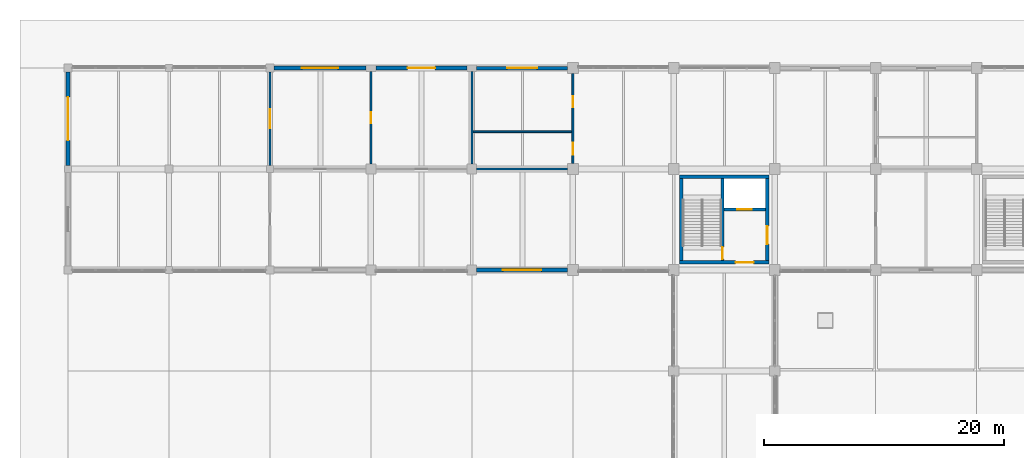
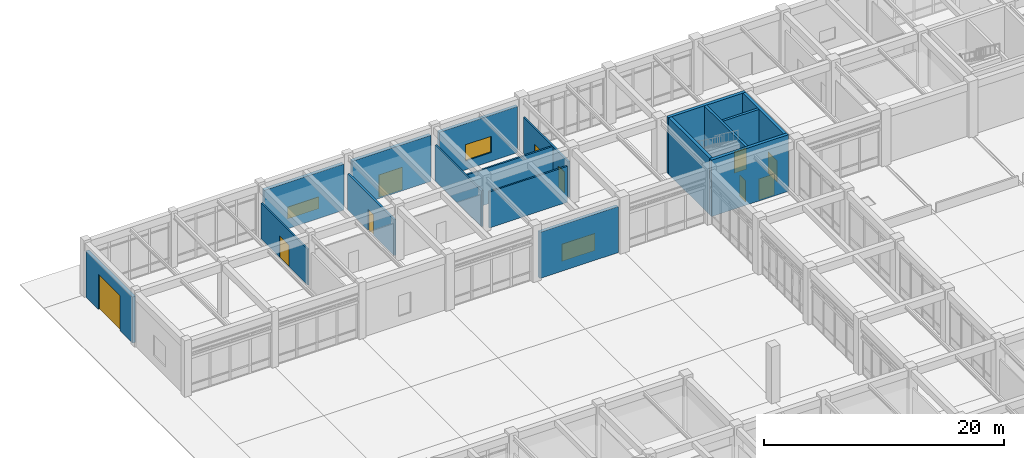
# One storey, part 73 of 91: 17 walls, 10 doors, 3 windows, 13 openings.
"""IFC4 building model written with IfcOpenShell, lengths in metres."""

from ifc_helpers import new_model, si_unit, direction, frame, frame_2d, origin, place, context, subcontext, project, spatial, rectangle, extrude, material, layer, layer_set, type_object, element, fill, save


model = new_model("IFC4")

# Units and contexts
model_context = context("Model", 3, precision=1e-05, world=origin(), true_north=direction((0.0, 1.0)))
body_context = subcontext(model_context, "Body", "Model", "MODEL_VIEW")
ifc_project = project(units=[si_unit("LENGTHUNIT", "METRE"), si_unit("AREAUNIT", "SQUARE_METRE"), si_unit("VOLUMEUNIT", "CUBIC_METRE"), si_unit("PLANEANGLEUNIT", "RADIAN"), si_unit("MASSUNIT", "GRAM", prefix="KILO")], contexts=[model_context])

# Site, building, storey
site_placement = place(None, origin())
site = spatial("IfcSite", under=ifc_project, at=site_placement, CompositionType="ELEMENT")
building_placement = place(site_placement, origin())
building = spatial("IfcBuilding", under=site, at=building_placement, Name="Porcellanite Civic Hall", CompositionType="ELEMENT")
storey_placement = place(building_placement, origin())
storey = spatial("IfcBuildingStorey", under=building, at=storey_placement, Name="L00", CompositionType="ELEMENT", Elevation=0.0)

# Wall, opening, door
ifc_material_1 = material(Name="Concrete N40 (40 MPa)", Category="concrete")
ifc_layer_1 = layer(ifc_material_1, 0.239990234375)
ifc_layer_set_1 = layer_set([ifc_layer_1], Name="Concrete N40 (40 MPa)")
wall_type_1 = type_object("IfcWallType", Name="CW-SH240", PredefinedType="SHEAR", material=ifc_layer_set_1)
wall_1_placement = place(storey_placement, frame((54.43994140625, 101.580078125, 0.0), z_axis=(0.0, 0.0, 1.0), x_axis=(0.0, 1.0, 0.0)))
wall_1 = element("IfcWall", 1, at=wall_1_placement, inside=storey, type_object=wall_type_1, Name="Core divider C3 L00", PredefinedType="SHEAR", context=body_context, shape_type="SweptSolid", body=[
    extrude(rectangle(XDim=6.83984375, YDim=0.239990234375, at=frame_2d((3.419921875, 0.0))), origin(), (0.0, 0.0, 1.0), 5.760009765625),
])
opening_1_placement = place(wall_1_placement, frame((0.1201171875, 0.0, 0.0)))
opening_1 = element("IfcOpeningElement", 2, at=opening_1_placement, cuts=wall_1, Name="Opening FD-C3-L00-ST", PredefinedType="OPENING", context=body_context, shape_type="SweptSolid", body=[
    extrude(rectangle(XDim=1.0, YDim=2.14990234375, at=frame_2d((0.5, 1.074951171875))), frame((0.0, 0.1201171875, 0.0), z_axis=(0.0, -1.0, 0.0), x_axis=(1.0, 0.0, 0.0)), (0.0, 0.0, 1.0), 0.239990234375),
])
ifc_material_2 = material(Name="Fire-rated solid-core hardwood timber", Category="wood")
door_type_1 = type_object("IfcDoorType", Name="DR-FD100", OperationType="NOTDEFINED", PredefinedType="DOOR", material=ifc_material_2)
door_1_placement = place(opening_1_placement, origin())
door_1 = element("IfcDoor", 3, at=door_1_placement, inside=storey, type_object=door_type_1, Name="Fire stair door FD-C3-L00-ST", OperationType="SINGLE_SWING_RIGHT", OverallHeight=2.14990234375, OverallWidth=1.0, PredefinedType="DOOR", context=body_context, shape_type="SweptSolid", body=[
    extrude(rectangle(XDim=1.0, YDim=2.14990234375, at=frame_2d((0.5, 1.074951171875))), frame((0.0, 0.02490234375, 0.0), z_axis=(0.0, -1.0, 0.0), x_axis=(1.0, 0.0, 0.0)), (0.0, 0.0, 1.0), 0.050048828125),
])
fill(opening_1, door_1)

wall_2_placement = place(storey_placement, frame((54.56005859375, 105.820068359375, 0.0), z_axis=(0.0, 0.0, 1.0), x_axis=(1.0, 0.0, 0.0)))
wall_2 = element("IfcWall", 4, at=wall_2_placement, inside=storey, type_object=wall_type_1, Name="Lift shaft wall C3 L00", PredefinedType="SHEAR", context=body_context, shape_type="SweptSolid", body=[
    extrude(rectangle(XDim=3.4599609375, YDim=0.239990234375, at=frame_2d((1.72998046875, 0.0))), origin(), (0.0, 0.0, 1.0), 5.760009765625),
])
opening_2_placement = place(wall_2_placement, frame((1.1298828125, 0.0, 0.0)))
opening_2 = element("IfcOpeningElement", 5, at=opening_2_placement, cuts=wall_2, Name="Opening LD-01", PredefinedType="OPENING", context=body_context, shape_type="SweptSolid", body=[
    extrude(rectangle(XDim=1.199951171875, YDim=2.199951171875, at=frame_2d((0.60009765625, 1.10009765625))), frame((0.0, 0.1201171875, 0.0), z_axis=(0.0, -1.0, 0.0), x_axis=(1.0, 0.0, 0.0)), (0.0, 0.0, 1.0), 0.239990234375),
])
ifc_material_3 = material(Name="Brushed stainless steel 316", Category="steel")
door_type_2 = type_object("IfcDoorType", Name="DR-LD120", OperationType="DOUBLE_DOOR_SLIDING", PredefinedType="DOOR", material=ifc_material_3)
door_2_placement = place(opening_2_placement, origin())
door_2 = element("IfcDoor", 6, at=door_2_placement, inside=storey, type_object=door_type_2, Name="Lift landing sliding door LD-01 L00", OperationType="DOUBLE_DOOR_SLIDING", OverallHeight=2.199951171875, OverallWidth=1.199951171875, PredefinedType="DOOR", context=body_context, shape_type="SweptSolid", body=[
    extrude(rectangle(XDim=1.199951171875, YDim=2.199951171875, at=frame_2d((0.60009765625, 1.10009765625))), frame((0.0, 0.02490234375, 0.0), z_axis=(0.0, -1.0, 0.0), x_axis=(1.0, 0.0, 0.0)), (0.0, 0.0, 1.0), 0.050048828125),
])
fill(opening_2, door_2)

ifc_material_4 = material(Name="Concrete N40 (40 MPa)", Category="concrete")
ifc_layer_2 = layer(ifc_material_4, 0.300048828125)
ifc_layer_set_2 = layer_set([ifc_layer_2], Name="Concrete N40 (40 MPa)")
wall_type_2 = type_object("IfcWallType", Name="CW-SH300", PredefinedType="SHEAR", material=ifc_layer_set_2)
wall_3_placement = place(storey_placement, frame((58.320068359375, 101.429931640625, 0.0), z_axis=(0.0, 0.0, 1.0), x_axis=(-1.0, 0.0, 0.0)))
wall_3 = element("IfcWall", 7, at=wall_3_placement, inside=storey, type_object=wall_type_2, Name="Core wall C3 L00 S", PredefinedType="SHEAR", context=body_context, shape_type="SweptSolid", body=[
    extrude(rectangle(XDim=7.440185546875, YDim=0.300048828125, at=frame_2d((3.72021484375, 0.0))), origin(), (0.0, 0.0, 1.0), 5.760009765625),
])
opening_3_placement = place(wall_3_placement, frame((1.280029296875, 0.0, 0.0)))
opening_3 = element("IfcOpeningElement", 8, at=opening_3_placement, cuts=wall_3, Name="Opening FD-C3-L00-LS", PredefinedType="OPENING", context=body_context, shape_type="SweptSolid", body=[
    extrude(rectangle(XDim=1.5, YDim=2.14990234375, at=frame_2d((0.75, 1.074951171875))), frame((0.0, 0.14990234375, 0.0), z_axis=(0.0, -1.0, 0.0), x_axis=(1.0, 0.0, 0.0)), (0.0, 0.0, 1.0), 0.300048828125),
])
ifc_material_5 = material(Name="Fire-rated steel and Georgian wired glass", Category="steel")
door_type_3 = type_object("IfcDoorType", Name="DR-FD150", OperationType="DOUBLE_DOOR_SINGLE_SWING", PredefinedType="DOOR", material=ifc_material_5)
door_3_placement = place(opening_3_placement, origin())
door_3 = element("IfcDoor", 9, at=door_3_placement, inside=storey, type_object=door_type_3, Name="Fire lobby south door FD-C3-L00-LS", OperationType="DOUBLE_DOOR_SINGLE_SWING", OverallHeight=2.14990234375, OverallWidth=1.5, PredefinedType="DOOR", context=body_context, shape_type="SweptSolid", body=[
    extrude(rectangle(XDim=1.5, YDim=2.14990234375, at=frame_2d((0.75, 1.074951171875))), frame((0.0, 0.02490234375, 0.0), z_axis=(0.0, -1.0, 0.0), x_axis=(1.0, 0.0, 0.0)), (0.0, 0.0, 1.0), 0.050048828125),
])
fill(opening_3, door_3)

# Walls
wall_4_placement = place(storey_placement, frame((51.030029296875, 101.580078125, 0.0), z_axis=(0.0, 0.0, 1.0), x_axis=(0.0, 1.0, 0.0)))
element("IfcWall", 10, at=wall_4_placement, inside=storey, type_object=wall_type_2, Name="Core wall C3 L00 W", PredefinedType="SHEAR", context=body_context, shape_type="SweptSolid", body=[
    extrude(rectangle(XDim=6.83984375, YDim=0.300048828125, at=frame_2d((3.419921875, 0.0))), origin(), (0.0, 0.0, 1.0), 5.760009765625),
])
wall_5_placement = place(storey_placement, frame((50.8798828125, 108.570068359375, 0.0), z_axis=(0.0, 0.0, 1.0), x_axis=(1.0, 0.0, 0.0)))
element("IfcWall", 11, at=wall_5_placement, inside=storey, type_object=wall_type_2, Name="Core wall C3 L00 N", PredefinedType="SHEAR", context=body_context, shape_type="SweptSolid", body=[
    extrude(rectangle(XDim=7.440185546875, YDim=0.300048828125, at=frame_2d((3.72021484375, 0.0))), origin(), (0.0, 0.0, 1.0), 5.760009765625),
])

# Wall, opening, door
wall_6_placement = place(storey_placement, frame((58.169921875, 108.419921875, 0.0), z_axis=(0.0, 0.0, 1.0), x_axis=(0.0, -1.0, 0.0)))
wall_6 = element("IfcWall", 12, at=wall_6_placement, inside=storey, type_object=wall_type_2, Name="Core wall C3 L00 E", PredefinedType="SHEAR", context=body_context, shape_type="SweptSolid", body=[
    extrude(rectangle(XDim=6.83984375, YDim=0.300048828125, at=frame_2d((3.419921875, 0.0))), origin(), (0.0, 0.0, 1.0), 5.760009765625),
])
opening_4_placement = place(wall_6_placement, frame((3.969970703125, 0.0, 0.0)))
opening_4 = element("IfcOpeningElement", 13, at=opening_4_placement, cuts=wall_6, Name="Opening FD-C3-L00-LB", PredefinedType="OPENING", context=body_context, shape_type="SweptSolid", body=[
    extrude(rectangle(XDim=1.5, YDim=2.14990234375, at=frame_2d((0.75, 1.074951171875))), frame((0.0, 0.14990234375, 0.0), z_axis=(0.0, -1.0, 0.0), x_axis=(1.0, 0.0, 0.0)), (0.0, 0.0, 1.0), 0.300048828125),
])
door_4_placement = place(opening_4_placement, origin())
door_4 = element("IfcDoor", 14, at=door_4_placement, inside=storey, type_object=door_type_3, Name="Fire lobby double door FD-C3-L00-LB", OperationType="DOUBLE_DOOR_SINGLE_SWING", OverallHeight=2.14990234375, OverallWidth=1.5, PredefinedType="DOOR", context=body_context, shape_type="SweptSolid", body=[
    extrude(rectangle(XDim=1.5, YDim=2.14990234375, at=frame_2d((0.75, 1.074951171875))), frame((0.0, 0.02490234375, 0.0), z_axis=(0.0, -1.0, 0.0), x_axis=(1.0, 0.0, 0.0)), (0.0, 0.0, 1.0), 0.050048828125),
])
fill(opening_4, door_4)

# Wall, opening, window
ifc_material_6 = material(Name="Precast concrete N40 (40 MPa)", Category="concrete")
ifc_layer_3 = layer(ifc_material_6, 0.300048828125)
ifc_layer_set_3 = layer_set([ifc_layer_3], Name="Precast concrete N40 (40 MPa)")
wall_type_3 = type_object("IfcWallType", Name="EW-ADM300", PredefinedType="SOLIDWALL", material=ifc_layer_set_3)
wall_7_placement = place(storey_placement, frame((41.549072265625, 100.800048828125, 0.0), z_axis=(0.0, 0.0, 1.0), x_axis=(-1.0, 0.0, 0.0)))
wall_7 = element("IfcWall", 15, at=wall_7_placement, inside=storey, type_object=wall_type_3, Name="Exterior wall L00 S 5-13", PredefinedType="SOLIDWALL", context=body_context, shape_type="SweptSolid", body=[
    extrude(rectangle(XDim=7.548095703125, YDim=0.300048828125, at=frame_2d((3.77392578125, 0.0))), origin(), (0.0, 0.0, 1.0), 4.699951171875),
])
opening_5_placement = place(wall_7_placement, frame((2.174072265625, 0.0, 0.89990234375)))
opening_5 = element("IfcOpeningElement", 16, at=opening_5_placement, cuts=wall_7, Name="Opening W17", PredefinedType="OPENING", context=body_context, shape_type="SweptSolid", body=[
    extrude(rectangle(XDim=3.199951171875, YDim=1.75, at=frame_2d((1.60009765625, 0.875))), frame((0.0, 0.14990234375, 0.0), z_axis=(0.0, -1.0, 0.0), x_axis=(1.0, 0.0, 0.0)), (0.0, 0.0, 1.0), 0.300048828125),
])
ifc_material_7 = material(Name="Cyclone laminated low-E glazing in anodised aluminium frame", Category="aluminium")
window_type_1 = type_object("IfcWindowType", Name="WN-17", PartitioningType="TRIPLE_PANEL_VERTICAL", PredefinedType="WINDOW", material=ifc_material_7)
window_1_placement = place(opening_5_placement, origin())
window_1 = element("IfcWindow", 17, at=window_1_placement, inside=storey, type_object=window_type_1, Name="Window W17 L00 S 5-13", OverallHeight=1.75, OverallWidth=3.199951171875, PartitioningType="SINGLE_PANEL", PredefinedType="WINDOW", context=body_context, shape_type="SweptSolid", body=[
    extrude(rectangle(XDim=3.199951171875, YDim=1.75, at=frame_2d((1.60009765625, 0.875))), frame((0.0, 0.030029296875, 0.0), z_axis=(0.0, -1.0, 0.0), x_axis=(1.0, 0.0, 0.0)), (0.0, 0.0, 1.0), 0.06005859375),
])
fill(opening_5, window_1)

wall_8_placement = place(storey_placement, frame((34.0009765625, 117.60009765625, 0.0), z_axis=(0.0, 0.0, 1.0), x_axis=(1.0, 0.0, 0.0)))
wall_8 = element("IfcWall", 18, at=wall_8_placement, inside=storey, type_object=wall_type_3, Name="Exterior wall L00 N 5-14", PredefinedType="SOLIDWALL", context=body_context, shape_type="SweptSolid", body=[
    extrude(rectangle(XDim=7.548095703125, YDim=0.300048828125, at=frame_2d((3.77392578125, 0.0))), origin(), (0.0, 0.0, 1.0), 4.699951171875),
])
opening_6_placement = place(wall_8_placement, frame((2.52392578125, 0.0, 0.89990234375)))
opening_6 = element("IfcOpeningElement", 19, at=opening_6_placement, cuts=wall_8, Name="Opening W18", PredefinedType="OPENING", context=body_context, shape_type="SweptSolid", body=[
    extrude(rectangle(XDim=2.5, YDim=1.64990234375, at=frame_2d((1.25, 0.824951171875))), frame((0.0, 0.14990234375, 0.0), z_axis=(0.0, -1.0, 0.0), x_axis=(1.0, 0.0, 0.0)), (0.0, 0.0, 1.0), 0.300048828125),
])
ifc_material_8 = material(Name="Cyclone laminated low-E glazing in anodised aluminium frame", Category="aluminium")
window_type_2 = type_object("IfcWindowType", Name="WN-18", PartitioningType="DOUBLE_PANEL_VERTICAL", PredefinedType="WINDOW", material=ifc_material_8)
window_2_placement = place(opening_6_placement, origin())
window_2 = element("IfcWindow", 20, at=window_2_placement, inside=storey, type_object=window_type_2, Name="Window W18 L00 N 5-14", OverallHeight=1.64990234375, OverallWidth=2.5, PartitioningType="SINGLE_PANEL", PredefinedType="WINDOW", context=body_context, shape_type="SweptSolid", body=[
    extrude(rectangle(XDim=2.5, YDim=1.64990234375, at=frame_2d((1.25, 0.824951171875))), frame((0.0, 0.030029296875, 0.0), z_axis=(0.0, -1.0, 0.0), x_axis=(1.0, 0.0, 0.0)), (0.0, 0.0, 1.0), 0.06005859375),
])
fill(opening_6, window_2)

# Wall, opening, door
ifc_material_9 = material(Name="Precast concrete N40 (40 MPa)", Category="concrete")
ifc_layer_4 = layer(ifc_material_9, 0.320068359375)
ifc_layer_set_4 = layer_set([ifc_layer_4], Name="Precast concrete N40 (40 MPa)")
wall_type_4 = type_object("IfcWallType", Name="EW-COM320", PredefinedType="SOLIDWALL", material=ifc_layer_set_4)
wall_9_placement = place(storey_placement, frame((0.0, 109.5009765625, 0.0), z_axis=(0.0, 0.0, 1.0), x_axis=(0.0, 1.0, 0.0)))
wall_9 = element("IfcWall", 21, at=wall_9_placement, inside=storey, type_object=wall_type_4, Name="Exterior wall L00 W 1-14", PredefinedType="SOLIDWALL", context=body_context, shape_type="SweptSolid", body=[
    extrude(rectangle(XDim=7.77294921875, YDim=0.320068359375, at=frame_2d((3.886474609375, 0.0))), origin(), (0.0, 0.0, 1.0), 4.699951171875),
])
opening_7_placement = place(wall_9_placement, frame((2.0869140625, 0.0, 0.0)))
opening_7 = element("IfcOpeningElement", 22, at=opening_7_placement, cuts=wall_9, Name="Opening VD-01", PredefinedType="OPENING", context=body_context, shape_type="SweptSolid", body=[
    extrude(rectangle(XDim=3.60009765625, YDim=3.60009765625, at=frame_2d((1.800048828125, 1.800048828125))), frame((0.0, 0.16015625, 0.0), z_axis=(0.0, -1.0, 0.0), x_axis=(1.0, 0.0, 0.0)), (0.0, 0.0, 1.0), 0.320068359375),
])
ifc_material_10 = material(Name="Galvanised steel sheet", Category="steel")
door_type_4 = type_object("IfcDoorType", Name="DR-DOCK360", OperationType="ROLLINGUP", PredefinedType="DOOR", material=ifc_material_10)
door_5_placement = place(opening_7_placement, origin())
door_5 = element("IfcDoor", 23, at=door_5_placement, inside=storey, type_object=door_type_4, Name="Loading dock roller shutter VD-01", OperationType="ROLLINGUP", OverallHeight=3.60009765625, OverallWidth=3.60009765625, PredefinedType="DOOR", context=body_context, shape_type="SweptSolid", body=[
    extrude(rectangle(XDim=3.60009765625, YDim=3.60009765625, at=frame_2d((1.800048828125, 1.800048828125))), frame((0.0, 0.02490234375, 0.0), z_axis=(0.0, -1.0, 0.0), x_axis=(1.0, 0.0, 0.0)), (0.0, 0.0, 1.0), 0.050048828125),
])
fill(opening_7, door_5)

# Wall, opening, window
wall_10_placement = place(storey_placement, frame((17.1259765625, 117.60009765625, 0.0), z_axis=(0.0, 0.0, 1.0), x_axis=(1.0, 0.0, 0.0)))
wall_10 = element("IfcWall", 24, at=wall_10_placement, inside=storey, type_object=wall_type_4, Name="Exterior wall L00 N 3-14", PredefinedType="SOLIDWALL", context=body_context, shape_type="SweptSolid", body=[
    extrude(rectangle(XDim=7.673095703125, YDim=0.320068359375, at=frame_2d((3.83642578125, 0.0))), origin(), (0.0, 0.0, 1.0), 4.699951171875),
])
opening_8_placement = place(wall_10_placement, frame((2.3369140625, 0.0, 0.89990234375)))
opening_8 = element("IfcOpeningElement", 25, at=opening_8_placement, cuts=wall_10, Name="Opening W09", PredefinedType="OPENING", context=body_context, shape_type="SweptSolid", body=[
    extrude(rectangle(XDim=3.0, YDim=1.199951171875, at=frame_2d((1.5, 0.60009765625))), frame((0.0, 0.16015625, 0.0), z_axis=(0.0, -1.0, 0.0), x_axis=(1.0, 0.0, 0.0)), (0.0, 0.0, 1.0), 0.320068359375),
])
ifc_material_11 = material(Name="Cyclone laminated low-E glazing in anodised aluminium frame", Category="aluminium")
window_type_3 = type_object("IfcWindowType", Name="WN-09", PartitioningType="TRIPLE_PANEL_HORIZONTAL", PredefinedType="WINDOW", material=ifc_material_11)
window_3_placement = place(opening_8_placement, origin())
window_3 = element("IfcWindow", 26, at=window_3_placement, inside=storey, type_object=window_type_3, Name="Window W09 L00 N 3-14", OverallHeight=1.199951171875, OverallWidth=3.0, PartitioningType="SINGLE_PANEL", PredefinedType="WINDOW", context=body_context, shape_type="SweptSolid", body=[
    extrude(rectangle(XDim=3.0, YDim=1.199951171875, at=frame_2d((1.5, 0.60009765625))), frame((0.0, 0.030029296875, 0.0), z_axis=(0.0, -1.0, 0.0), x_axis=(1.0, 0.0, 0.0)), (0.0, 0.0, 1.0), 0.06005859375),
])
fill(opening_8, window_3)

# Wall, opening, door
wall_11_placement = place(storey_placement, frame((25.60107421875, 117.60009765625, 0.0), z_axis=(0.0, 0.0, 1.0), x_axis=(1.0, 0.0, 0.0)))
wall_11 = element("IfcWall", 27, at=wall_11_placement, inside=storey, type_object=wall_type_4, Name="Exterior wall L00 N 4-14", PredefinedType="SOLIDWALL", context=body_context, shape_type="SweptSolid", body=[
    extrude(rectangle(XDim=7.597900390625, YDim=0.320068359375, at=frame_2d((3.798828125, 0.0))), origin(), (0.0, 0.0, 1.0), 4.699951171875),
])
opening_9_placement = place(wall_11_placement, frame((2.64892578125, 0.0, 0.0)))
opening_9 = element("IfcOpeningElement", 28, at=opening_9_placement, cuts=wall_11, Name="Opening ED-16", PredefinedType="OPENING", context=body_context, shape_type="SweptSolid", body=[
    extrude(rectangle(XDim=2.300048828125, YDim=2.300048828125, at=frame_2d((1.14990234375, 1.14990234375))), frame((0.0, 0.16015625, 0.0), z_axis=(0.0, -1.0, 0.0), x_axis=(1.0, 0.0, 0.0)), (0.0, 0.0, 1.0), 0.320068359375),
])
ifc_material_12 = material(Name="Anodised aluminium and laminated safety glass", Category="aluminium")
door_type_5 = type_object("IfcDoorType", Name="DR-EXIT210", OperationType="DOUBLE_DOOR_SINGLE_SWING", PredefinedType="DOOR", material=ifc_material_12)
door_6_placement = place(opening_9_placement, origin())
door_6 = element("IfcDoor", 29, at=door_6_placement, inside=storey, type_object=door_type_5, Name="Pedestrian final exit door ED-16", OperationType="DOUBLE_DOOR_SINGLE_SWING", OverallHeight=2.300048828125, OverallWidth=2.300048828125, PredefinedType="DOOR", context=body_context, shape_type="SweptSolid", body=[
    extrude(rectangle(XDim=2.300048828125, YDim=2.300048828125, at=frame_2d((1.14990234375, 1.14990234375))), frame((0.0, 0.02490234375, 0.0), z_axis=(0.0, -1.0, 0.0), x_axis=(1.0, 0.0, 0.0)), (0.0, 0.0, 1.0), 0.050048828125),
])
fill(opening_9, door_6)

ifc_material_13 = material(Name="Fire-rated plasterboard on light-gauge steel studs", Category="steel")
ifc_layer_5 = layer(ifc_material_13, 0.14794921875)
ifc_layer_set_5 = layer_set([ifc_layer_5], Name="Fire-rated plasterboard on light-gauge steel studs")
wall_type_5 = type_object("IfcWallType", Name="IW-FR148", PredefinedType="PARTITIONING", material=ifc_layer_set_5)
wall_12_placement = place(storey_placement, frame((16.800048828125, 109.501953125, 0.0), z_axis=(0.0, 0.0, 1.0), x_axis=(0.0, 1.0, 0.0)))
wall_12 = element("IfcWall", 30, at=wall_12_placement, inside=storey, type_object=wall_type_5, Name="Fire compartment wall L00 V 2-14", PredefinedType="PARTITIONING", context=body_context, shape_type="SweptSolid", body=[
    extrude(rectangle(XDim=7.77099609375, YDim=0.14794921875, at=frame_2d((3.885498046875, 0.0))), origin(), (0.0, 0.0, 1.0), 3.659912109375),
])
opening_10_placement = place(wall_12_placement, frame((3.0849609375, 0.0, 0.0)))
opening_10 = element("IfcOpeningElement", 31, at=opening_10_placement, cuts=wall_12, Name="Opening D-L00-122", PredefinedType="OPENING", context=body_context, shape_type="SweptSolid", body=[
    extrude(rectangle(XDim=1.60009765625, YDim=2.199951171875, at=frame_2d((0.800048828125, 1.10009765625))), frame((0.0, 0.073974609375, 0.0), z_axis=(0.0, -1.0, 0.0), x_axis=(1.0, 0.0, 0.0)), (0.0, 0.0, 1.0), 0.14794921875),
])
ifc_material_14 = material(Name="Fire-rated steel and Georgian wired glass", Category="steel")
door_type_6 = type_object("IfcDoorType", Name="DR-FD160", OperationType="DOUBLE_DOOR_SINGLE_SWING", PredefinedType="DOOR", material=ifc_material_14)
door_7_placement = place(opening_10_placement, origin())
door_7 = element("IfcDoor", 32, at=door_7_placement, inside=storey, type_object=door_type_6, Name="Interior door D-L00-122", OperationType="DOUBLE_DOOR_SINGLE_SWING", OverallHeight=2.199951171875, OverallWidth=1.60009765625, PredefinedType="DOOR", context=body_context, shape_type="SweptSolid", body=[
    extrude(rectangle(XDim=1.60009765625, YDim=2.199951171875, at=frame_2d((0.800048828125, 1.10009765625))), frame((0.0, 0.02490234375, 0.0), z_axis=(0.0, -1.0, 0.0), x_axis=(1.0, 0.0, 0.0)), (0.0, 0.0, 1.0), 0.050048828125),
])
fill(opening_10, door_7)

# Walls
wall_13_placement = place(storey_placement, frame((33.60009765625, 109.60205078125, 0.0), z_axis=(0.0, 0.0, 1.0), x_axis=(0.0, 1.0, 0.0)))
element("IfcWall", 33, at=wall_13_placement, inside=storey, type_object=wall_type_5, Name="Fire compartment wall L00 V 4-14", PredefinedType="PARTITIONING", context=body_context, shape_type="SweptSolid", body=[
    extrude(rectangle(XDim=7.720947265625, YDim=0.14794921875, at=frame_2d((3.8603515625, 0.0))), origin(), (0.0, 0.0, 1.0), 3.659912109375),
])
ifc_material_15 = material(Name="Fire-rated plasterboard on light-gauge steel studs", Category="steel")
ifc_layer_6 = layer(ifc_material_15, 0.159912109375)
ifc_layer_set_6 = layer_set([ifc_layer_6], Name="Fire-rated plasterboard on light-gauge steel studs")
wall_type_6 = type_object("IfcWallType", Name="IW-FR160", PredefinedType="PARTITIONING", material=ifc_layer_set_6)
wall_14_placement = place(storey_placement, frame((34.001953125, 109.199951171875, 0.0), z_axis=(0.0, 0.0, 1.0), x_axis=(1.0, 0.0, 0.0)))
element("IfcWall", 34, at=wall_14_placement, inside=storey, type_object=wall_type_6, Name="Fire compartment wall L00 H 5-13", PredefinedType="PARTITIONING", context=body_context, shape_type="SweptSolid", body=[
    extrude(rectangle(XDim=7.546142578125, YDim=0.159912109375, at=frame_2d((3.77294921875, 0.0))), origin(), (0.0, 0.0, 1.0), 3.659912109375),
])

# Wall, openings, doors
wall_15_placement = place(storey_placement, frame((42.0, 109.652099609375, 0.0), z_axis=(0.0, 0.0, 1.0), x_axis=(0.0, 1.0, 0.0)))
wall_15 = element("IfcWall", 35, at=wall_15_placement, inside=storey, type_object=wall_type_6, Name="Fire compartment wall L00 V 5-14", PredefinedType="PARTITIONING", context=body_context, shape_type="SweptSolid", body=[
    extrude(rectangle(XDim=7.495849609375, YDim=0.159912109375, at=frame_2d((3.748046875, 0.0))), origin(), (0.0, 0.0, 1.0), 3.659912109375),
])
opening_11_placement = place(wall_15_placement, frame((0.738037109375, 0.0, 0.0)))
opening_11 = element("IfcOpeningElement", 36, at=opening_11_placement, cuts=wall_15, Name="Opening D-L00-031", PredefinedType="OPENING", context=body_context, shape_type="SweptSolid", body=[
    extrude(rectangle(XDim=1.0, YDim=2.14990234375, at=frame_2d((0.5, 1.074951171875))), frame((0.0, 0.080078125, 0.0), z_axis=(0.0, -1.0, 0.0), x_axis=(1.0, 0.0, 0.0)), (0.0, 0.0, 1.0), 0.159912109375),
])
opening_12_placement = place(wall_15_placement, frame((4.7080078125, 0.0, 0.0)))
opening_12 = element("IfcOpeningElement", 37, at=opening_12_placement, cuts=wall_15, Name="Opening D-L00-032", PredefinedType="OPENING", context=body_context, shape_type="SweptSolid", body=[
    extrude(rectangle(XDim=0.89990234375, YDim=2.050048828125, at=frame_2d((0.449951171875, 1.02490234375))), frame((0.0, 0.080078125, 0.0), z_axis=(0.0, -1.0, 0.0), x_axis=(1.0, 0.0, 0.0)), (0.0, 0.0, 1.0), 0.159912109375),
])
ifc_material_16 = material(Name="Fire-rated steel riser access leaf", Category="steel")
door_type_7 = type_object("IfcDoorType", Name="DR-FD090", OperationType="NOTDEFINED", PredefinedType="DOOR", material=ifc_material_16)
door_8_placement = place(opening_12_placement, origin())
door_8 = element("IfcDoor", 38, at=door_8_placement, inside=storey, type_object=door_type_7, Name="Interior door D-L00-032", OperationType="SINGLE_SWING_RIGHT", OverallHeight=2.050048828125, OverallWidth=0.89990234375, PredefinedType="DOOR", context=body_context, shape_type="SweptSolid", body=[
    extrude(rectangle(XDim=0.89990234375, YDim=2.050048828125, at=frame_2d((0.449951171875, 1.02490234375))), frame((0.0, 0.02490234375, 0.0), z_axis=(0.0, -1.0, 0.0), x_axis=(1.0, 0.0, 0.0)), (0.0, 0.0, 1.0), 0.050048828125),
])
fill(opening_12, door_8)
door_9_placement = place(opening_11_placement, origin())
door_9 = element("IfcDoor", 39, at=door_9_placement, inside=storey, type_object=door_type_1, Name="Interior door D-L00-031", OperationType="SINGLE_SWING_LEFT", OverallHeight=2.14990234375, OverallWidth=1.0, PredefinedType="DOOR", context=body_context, shape_type="SweptSolid", body=[
    extrude(rectangle(XDim=1.0, YDim=2.14990234375, at=frame_2d((0.5, 1.074951171875))), frame((0.0, 0.02490234375, 0.0), z_axis=(0.0, -1.0, 0.0), x_axis=(1.0, 0.0, 0.0)), (0.0, 0.0, 1.0), 0.050048828125),
])
fill(opening_11, door_9)

# Wall
wall_16_placement = place(storey_placement, frame((33.676025390625, 112.300048828125, 0.0), z_axis=(0.0, 0.0, 1.0), x_axis=(1.0, 0.0, 0.0)))
element("IfcWall", 40, at=wall_16_placement, inside=storey, type_object=wall_type_6, Name="Fire compartment wall L00 sub 5-14", PredefinedType="PARTITIONING", context=body_context, shape_type="SweptSolid", body=[
    extrude(rectangle(XDim=8.241943359375, YDim=0.159912109375, at=frame_2d((4.12109375, 0.0))), origin(), (0.0, 0.0, 1.0), 3.659912109375),
])

# Wall, opening, door
ifc_material_17 = material(Name="Insulated acoustic plasterboard on light-gauge steel studs", Category="steel")
ifc_layer_7 = layer(ifc_material_17, 0.195068359375)
ifc_layer_set_7 = layer_set([ifc_layer_7], Name="Insulated acoustic plasterboard on light-gauge steel studs")
wall_type_7 = type_object("IfcWallType", Name="IW-PT195", PredefinedType="PARTITIONING", material=ifc_layer_set_7)
wall_17_placement = place(storey_placement, frame((25.199951171875, 109.60205078125, 0.0), z_axis=(0.0, 0.0, 1.0), x_axis=(0.0, 1.0, 0.0)))
wall_17 = element("IfcWall", 41, at=wall_17_placement, inside=storey, type_object=wall_type_7, Name="Partition L00 V 3-14", PredefinedType="PARTITIONING", context=body_context, shape_type="SweptSolid", body=[
    extrude(rectangle(XDim=7.720947265625, YDim=0.195068359375, at=frame_2d((3.8603515625, 0.0))), origin(), (0.0, 0.0, 1.0), 3.659912109375),
])
opening_13_placement = place(wall_17_placement, frame((3.39599609375, 0.0, 0.0)))
opening_13 = element("IfcOpeningElement", 42, at=opening_13_placement, cuts=wall_17, Name="Opening D-L00-155", PredefinedType="OPENING", context=body_context, shape_type="SweptSolid", body=[
    extrude(rectangle(XDim=0.929931640625, YDim=2.1201171875, at=frame_2d((0.46484375, 1.06005859375))), frame((0.0, 0.09765625, 0.0), z_axis=(0.0, -1.0, 0.0), x_axis=(1.0, 0.0, 0.0)), (0.0, 0.0, 1.0), 0.195068359375),
])
ifc_material_18 = material(Name="Solid-core spotted-gum timber", Category="wood")
door_type_8 = type_object("IfcDoorType", Name="DR-RM093", OperationType="NOTDEFINED", PredefinedType="DOOR", material=ifc_material_18)
door_10_placement = place(opening_13_placement, origin())
door_10 = element("IfcDoor", 43, at=door_10_placement, inside=storey, type_object=door_type_8, Name="Interior door D-L00-155", OperationType="SINGLE_SWING_LEFT", OverallHeight=2.1201171875, OverallWidth=0.929931640625, PredefinedType="DOOR", context=body_context, shape_type="SweptSolid", body=[
    extrude(rectangle(XDim=0.929931640625, YDim=2.1201171875, at=frame_2d((0.46484375, 1.06005859375))), frame((0.0, 0.02490234375, 0.0), z_axis=(0.0, -1.0, 0.0), x_axis=(1.0, 0.0, 0.0)), (0.0, 0.0, 1.0), 0.050048828125),
])
fill(opening_13, door_10)

save(model, "model.ifc")
